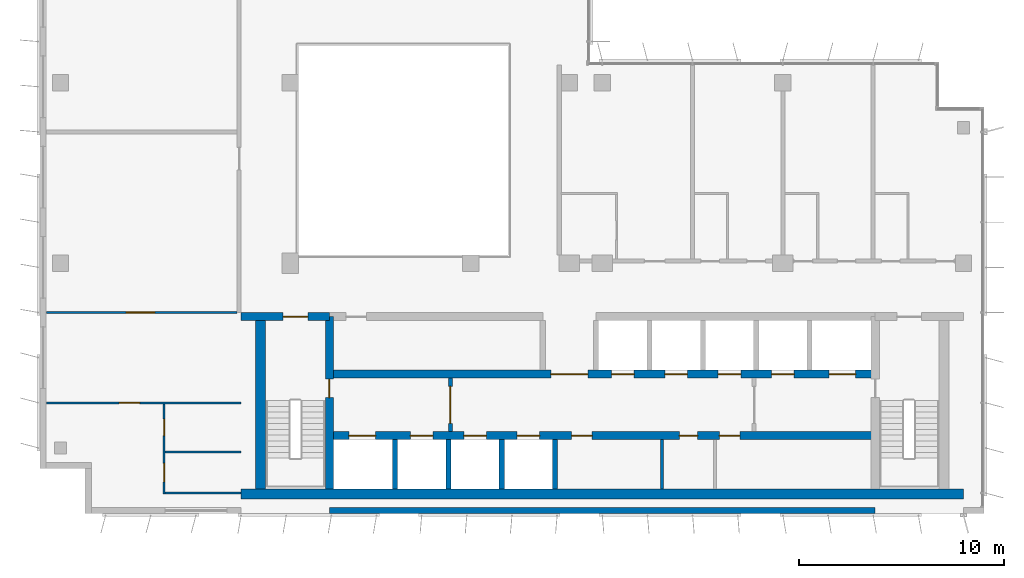
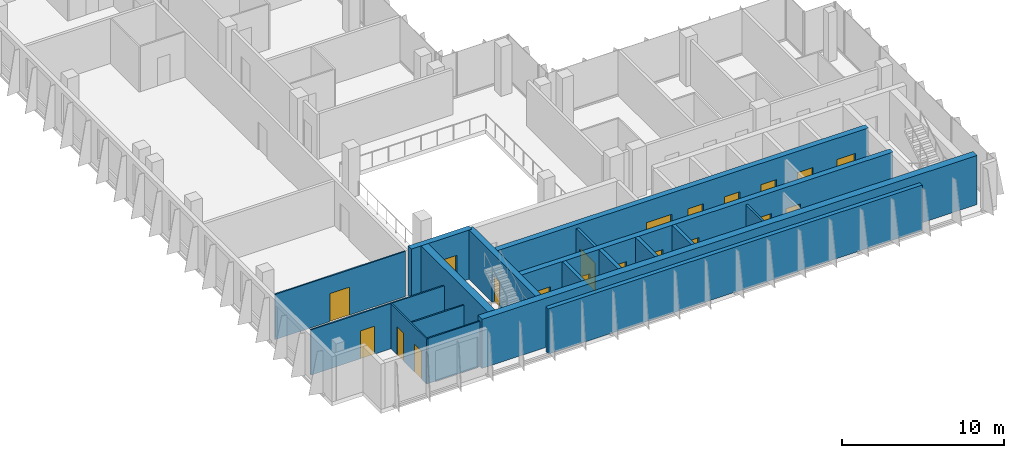
# One storey, part 9 of 15: 20 doors, 18 walls, 20 openings.
"""IFC4 building model written with IfcOpenShell, lengths in metres."""

from ifc_helpers import new_model, si_unit, direction, frame, frame_2d, origin, place, context, subcontext, project, spatial, rectangle, extrude, material, layer, layer_set, type_object, element, fill, save


model = new_model("IFC4")

# Units and contexts
model_context = context("Model", 3, precision=1e-05, world=origin(), true_north=direction((0.0, 1.0)))
body_context = subcontext(model_context, "Body", "Model", "MODEL_VIEW")
ifc_project = project(units=[si_unit("LENGTHUNIT", "METRE"), si_unit("AREAUNIT", "SQUARE_METRE"), si_unit("VOLUMEUNIT", "CUBIC_METRE"), si_unit("PLANEANGLEUNIT", "RADIAN"), si_unit("MASSUNIT", "GRAM", prefix="KILO")], contexts=[model_context])

# Site, building, storey
site_placement = place(None, origin())
site = spatial("IfcSite", under=ifc_project, at=site_placement, CompositionType="ELEMENT")
building_placement = place(site_placement, origin())
building = spatial("IfcBuilding", under=site, at=building_placement, Name="Kemantara Hotel Tower", CompositionType="ELEMENT")
storey_placement = place(building_placement, frame((0.0, 0.0, 298.10009765625)))
storey = spatial("IfcBuildingStorey", under=building, at=storey_placement, Name="L75", CompositionType="ELEMENT", Elevation=298.10009765625)

# Walls
ifc_material_1 = material(Name="Bronze anodised aluminium cladding on insulated steel stud wall", Category="steel")
ifc_layer_1 = layer(ifc_material_1, 0.300048828125)
ifc_layer_set_1 = layer_set([ifc_layer_1], Name="Bronze anodised aluminium cladding on insulated steel stud wall")
wall_type_1 = type_object("IfcWallType", Name="BRONZE METAL-CLAD EXTERNAL WALL 300", PredefinedType="STANDARD", material=ifc_layer_set_1)
wall_1_placement = place(storey_placement, frame((14.10009765625, 0.14990234375, 0.0), z_axis=(0.0, 0.0, 1.0), x_axis=(1.0, 0.0, 0.0)))
element("IfcWall", 1, at=wall_1_placement, inside=storey, type_object=wall_type_1, Name="EXTERNAL WALL L75 T4-R08-2", PredefinedType="STANDARD", context=body_context, shape_type="SweptSolid", body=[
    extrude(rectangle(XDim=26.599853515625, YDim=0.300048828125, at=frame_2d((13.2998046875, 0.0))), origin(), (0.0, 0.0, 1.0), 3.39990234375),
])
ifc_material_2 = material(Name="Concrete fc 50 MPa", Category="concrete")
ifc_layer_2 = layer(ifc_material_2, 0.25)
ifc_layer_set_2 = layer_set([ifc_layer_2], Name="Concrete fc 50 MPa")
wall_type_2 = type_object("IfcWallType", Name="CORE WALL 250 FC50", PredefinedType="SHEAR", material=ifc_layer_set_2)
for number, where, z_axis, x_axis, name in (
    (2, (17.300048828125, 1.199951171875, 0.0), (0.0, 0.0, 1.0), (0.0, 1.0, 0.0), "CORE WALL CW-DS17.3"),
    (3, (19.89990234375, 1.199951171875, 0.0), (0.0, 0.0, 1.0), (0.0, 1.0, 0.0), "CORE WALL CW-DS19.9"),
    (4, (22.5, 1.199951171875, 0.0), (0.0, 0.0, 1.0), (0.0, 1.0, 0.0), "CORE WALL CW-DS22.5"),
    (5, (25.10009765625, 1.199951171875, 0.0), (0.0, 0.0, 1.0), (0.0, 1.0, 0.0), "CORE WALL CW-DS25.1"),
):
    element("IfcWall", number, at=place(storey_placement, frame(where, z_axis=z_axis, x_axis=x_axis)), inside=storey, type_object=wall_type_2, Name=name, PredefinedType="SHEAR", context=body_context, shape_type="SweptSolid", body=[
        extrude(rectangle(XDim=2.400146484375, YDim=0.25, at=frame_2d((1.2001953125, 0.0))), origin(), (0.0, 0.0, 1.0), 3.699951171875),
    ])

# Wall, opening, door
ifc_layer_3 = layer(ifc_material_2, 0.39990234375)
ifc_layer_set_3 = layer_set([ifc_layer_3], Name="Concrete fc 50 MPa")
wall_type_3 = type_object("IfcWallType", Name="CORE WALL 400 FC50", PredefinedType="SHEAR", material=ifc_layer_set_3)
wall_2_placement = place(storey_placement, frame((9.800048828125, 9.60009765625, 0.0), z_axis=(0.0, 0.0, 1.0), x_axis=(1.0, 0.0, 0.0)))
wall_2 = element("IfcWall", 6, at=wall_2_placement, inside=storey, type_object=wall_type_3, Name="CORE WALL CW-N1", PredefinedType="SHEAR", context=body_context, shape_type="SweptSolid", body=[
    extrude(rectangle(XDim=4.300048828125, YDim=0.39990234375, at=frame_2d((2.14990234375, 0.0))), origin(), (0.0, 0.0, 1.0), 3.699951171875),
])
opening_1_placement = place(wall_2_placement, frame((2.050048828125, 0.0, 0.0)))
opening_1 = element("IfcOpeningElement", 7, at=opening_1_placement, cuts=wall_2, Name="Opening C42-ST1-C", PredefinedType="OPENING", context=body_context, shape_type="SweptSolid", body=[
    extrude(rectangle(XDim=1.199951171875, YDim=2.10009765625, at=frame_2d((0.60009765625, 1.050048828125))), frame((0.0, 0.2099609375, 0.0), z_axis=(0.0, -1.0, 0.0), x_axis=(1.0, 0.0, 0.0)), (0.0, 0.0, 1.0), 0.419921875),
])
ifc_material_3 = material(Name="Steel fire door", Category="steel")
door_type_1 = type_object("IfcDoorType", Name="Fire door FD90 1200 x 2100", OperationType="NOTDEFINED", PredefinedType="DOOR", material=ifc_material_3)
door_1_placement = place(opening_1_placement, frame((1.199951171875, 0.0, 0.0), z_axis=(0.0, 0.0, 1.0), x_axis=(-1.0, 0.0, 0.0)))
door_1 = element("IfcDoor", 8, at=door_1_placement, inside=storey, type_object=door_type_1, Name="Stair ST1 door to corridor", OperationType="SINGLE_SWING_LEFT", OverallHeight=2.10009765625, OverallWidth=1.199951171875, PredefinedType="DOOR", context=body_context, shape_type="SweptSolid", body=[
    extrude(rectangle(XDim=1.199951171875, YDim=2.10009765625, at=frame_2d((0.60009765625, 1.050048828125))), frame((0.0, 0.02490234375, 0.0), z_axis=(0.0, -1.0, 0.0), x_axis=(1.0, 0.0, 0.0)), (0.0, 0.0, 1.0), 0.050048828125),
])
fill(opening_1, door_1)

# Wall, openings, doors
wall_3_placement = place(storey_placement, frame((14.10009765625, 3.800048828125, 0.0), z_axis=(0.0, 0.0, 1.0), x_axis=(1.0, 0.0, 0.0)))
wall_3 = element("IfcWall", 9, at=wall_3_placement, inside=storey, type_object=wall_type_3, Name="CORE WALL CW-L1", PredefinedType="SHEAR", context=body_context, shape_type="SweptSolid", body=[
    extrude(rectangle(XDim=26.599853515625, YDim=0.39990234375, at=frame_2d((13.2998046875, 0.0))), origin(), (0.0, 0.0, 1.0), 3.699951171875),
])
opening_2_placement = place(wall_3_placement, frame((0.949951171875, 0.0, 0.0)))
opening_2 = element("IfcOpeningElement", 10, at=opening_2_placement, cuts=wall_3, Name="Opening C42-LD-FF1", PredefinedType="OPENING", context=body_context, shape_type="SweptSolid", body=[
    extrude(rectangle(XDim=1.300048828125, YDim=2.10009765625, at=frame_2d((0.64990234375, 1.050048828125))), frame((0.0, 0.2099609375, 0.0), z_axis=(0.0, -1.0, 0.0), x_axis=(1.0, 0.0, 0.0)), (0.0, 0.0, 1.0), 0.419921875),
])
opening_3_placement = place(wall_3_placement, frame((3.949951171875, 0.0, 0.0)))
opening_3 = element("IfcOpeningElement", 11, at=opening_3_placement, cuts=wall_3, Name="Opening C42-LD-SV1", PredefinedType="OPENING", context=body_context, shape_type="SweptSolid", body=[
    extrude(rectangle(XDim=1.10009765625, YDim=2.10009765625, at=frame_2d((0.550048828125, 1.050048828125))), frame((0.0, 0.2099609375, 0.0), z_axis=(0.0, -1.0, 0.0), x_axis=(1.0, 0.0, 0.0)), (0.0, 0.0, 1.0), 0.419921875),
])
opening_4_placement = place(wall_3_placement, frame((6.550048828125, 0.0, 0.0)))
opening_4 = element("IfcOpeningElement", 12, at=opening_4_placement, cuts=wall_3, Name="Opening C42-LD-SV2", PredefinedType="OPENING", context=body_context, shape_type="SweptSolid", body=[
    extrude(rectangle(XDim=1.10009765625, YDim=2.10009765625, at=frame_2d((0.550048828125, 1.050048828125))), frame((0.0, 0.2099609375, 0.0), z_axis=(0.0, -1.0, 0.0), x_axis=(1.0, 0.0, 0.0)), (0.0, 0.0, 1.0), 0.419921875),
])
opening_5_placement = place(wall_3_placement, frame((9.14990234375, 0.0, 0.0)))
opening_5 = element("IfcOpeningElement", 13, at=opening_5_placement, cuts=wall_3, Name="Opening C42-LD-SV3", PredefinedType="OPENING", context=body_context, shape_type="SweptSolid", body=[
    extrude(rectangle(XDim=1.10009765625, YDim=2.10009765625, at=frame_2d((0.550048828125, 1.050048828125))), frame((0.0, 0.2099609375, 0.0), z_axis=(0.0, -1.0, 0.0), x_axis=(1.0, 0.0, 0.0)), (0.0, 0.0, 1.0), 0.419921875),
])
opening_6_placement = place(wall_3_placement, frame((11.800048828125, 0.0, 0.0)))
opening_6 = element("IfcOpeningElement", 14, at=opening_6_placement, cuts=wall_3, Name="Opening C42-R-SM1", PredefinedType="OPENING", context=body_context, shape_type="SweptSolid", body=[
    extrude(rectangle(XDim=1.0, YDim=2.10009765625, at=frame_2d((0.5, 1.050048828125))), frame((0.0, 0.2099609375, 0.0), z_axis=(0.0, -1.0, 0.0), x_axis=(1.0, 0.0, 0.0)), (0.0, 0.0, 1.0), 0.419921875),
])
opening_7_placement = place(wall_3_placement, frame((17.050048828125, 0.0, 0.0)))
opening_7 = element("IfcOpeningElement", 15, at=opening_7_placement, cuts=wall_3, Name="Opening C42-R-SM2", PredefinedType="OPENING", context=body_context, shape_type="SweptSolid", body=[
    extrude(rectangle(XDim=0.89990234375, YDim=2.10009765625, at=frame_2d((0.449951171875, 1.050048828125))), frame((0.0, 0.2099609375, 0.0), z_axis=(0.0, -1.0, 0.0), x_axis=(1.0, 0.0, 0.0)), (0.0, 0.0, 1.0), 0.419921875),
])
opening_8_placement = place(wall_3_placement, frame((19.0, 0.0, 0.0)))
opening_8 = element("IfcOpeningElement", 16, at=opening_8_placement, cuts=wall_3, Name="Opening C42-R-SM3", PredefinedType="OPENING", context=body_context, shape_type="SweptSolid", body=[
    extrude(rectangle(XDim=1.0, YDim=2.10009765625, at=frame_2d((0.5, 1.050048828125))), frame((0.0, 0.2099609375, 0.0), z_axis=(0.0, -1.0, 0.0), x_axis=(1.0, 0.0, 0.0)), (0.0, 0.0, 1.0), 0.419921875),
])
door_type_2 = type_object("IfcDoorType", Name="Fire door FD30S 1000 x 2100", OperationType="NOTDEFINED", PredefinedType="DOOR", material=ifc_material_3)
door_2_placement = place(opening_8_placement, frame((1.0, 0.0, 0.0), z_axis=(0.0, 0.0, 1.0), x_axis=(-1.0, 0.0, 0.0)))
door_2 = element("IfcDoor", 17, at=door_2_placement, inside=storey, type_object=door_type_2, Name="Housekeeping Store door", OperationType="SINGLE_SWING_LEFT", OverallHeight=2.10009765625, OverallWidth=1.0, PredefinedType="DOOR", context=body_context, shape_type="SweptSolid", body=[
    extrude(rectangle(XDim=1.0, YDim=2.10009765625, at=frame_2d((0.5, 1.050048828125))), frame((0.0, 0.02490234375, 0.0), z_axis=(0.0, -1.0, 0.0), x_axis=(1.0, 0.0, 0.0)), (0.0, 0.0, 1.0), 0.050048828125),
])
fill(opening_8, door_2)
door_type_3 = type_object("IfcDoorType", Name="Fire door FD60 1000 x 2100", OperationType="NOTDEFINED", PredefinedType="DOOR", material=ifc_material_3)
door_3_placement = place(opening_6_placement, frame((1.0, 0.0, 0.0), z_axis=(0.0, 0.0, 1.0), x_axis=(-1.0, 0.0, 0.0)))
door_3 = element("IfcDoor", 18, at=door_3_placement, inside=storey, type_object=door_type_3, Name="It Equipment Room door", OperationType="SINGLE_SWING_RIGHT", OverallHeight=2.10009765625, OverallWidth=1.0, PredefinedType="DOOR", context=body_context, shape_type="SweptSolid", body=[
    extrude(rectangle(XDim=1.0, YDim=2.10009765625, at=frame_2d((0.5, 1.050048828125))), frame((0.0, 0.02490234375, 0.0), z_axis=(0.0, -1.0, 0.0), x_axis=(1.0, 0.0, 0.0)), (0.0, 0.0, 1.0), 0.050048828125),
])
fill(opening_6, door_3)
door_type_4 = type_object("IfcDoorType", Name="Fire door FD60 900 x 2100", OperationType="NOTDEFINED", PredefinedType="DOOR", material=ifc_material_3)
door_4_placement = place(opening_7_placement, frame((0.89990234375, 0.0, 0.0), z_axis=(0.0, 0.0, 1.0), x_axis=(-1.0, 0.0, 0.0)))
door_4 = element("IfcDoor", 19, at=door_4_placement, inside=storey, type_object=door_type_4, Name="Comms Equipment Room door", OperationType="SINGLE_SWING_LEFT", OverallHeight=2.10009765625, OverallWidth=0.89990234375, PredefinedType="DOOR", context=body_context, shape_type="SweptSolid", body=[
    extrude(rectangle(XDim=0.89990234375, YDim=2.10009765625, at=frame_2d((0.449951171875, 1.050048828125))), frame((0.0, 0.02490234375, 0.0), z_axis=(0.0, -1.0, 0.0), x_axis=(1.0, 0.0, 0.0)), (0.0, 0.0, 1.0), 0.050048828125),
])
fill(opening_7, door_4)
ifc_material_4 = material(Name="Stainless steel lift door", Category="steel")
door_type_5 = type_object("IfcDoorType", Name="Lift landing door 1100 x 2100 FD60", OperationType="DOUBLE_DOOR_SLIDING", PredefinedType="DOOR", material=ifc_material_4)
door_5_placement = place(opening_3_placement, origin())
door_5 = element("IfcDoor", 20, at=door_5_placement, inside=storey, type_object=door_type_5, Name="Lift SV1 landing door", OperationType="DOUBLE_DOOR_SLIDING", OverallHeight=2.10009765625, OverallWidth=1.10009765625, PredefinedType="DOOR", context=body_context, shape_type="SweptSolid", body=[
    extrude(rectangle(XDim=1.10009765625, YDim=2.10009765625, at=frame_2d((0.550048828125, 1.050048828125))), frame((0.0, 0.02490234375, 0.0), z_axis=(0.0, -1.0, 0.0), x_axis=(1.0, 0.0, 0.0)), (0.0, 0.0, 1.0), 0.050048828125),
])
fill(opening_3, door_5)
door_6_placement = place(opening_4_placement, origin())
door_6 = element("IfcDoor", 21, at=door_6_placement, inside=storey, type_object=door_type_5, Name="Lift SV2 landing door", OperationType="DOUBLE_DOOR_SLIDING", OverallHeight=2.10009765625, OverallWidth=1.10009765625, PredefinedType="DOOR", context=body_context, shape_type="SweptSolid", body=[
    extrude(rectangle(XDim=1.10009765625, YDim=2.10009765625, at=frame_2d((0.550048828125, 1.050048828125))), frame((0.0, 0.02490234375, 0.0), z_axis=(0.0, -1.0, 0.0), x_axis=(1.0, 0.0, 0.0)), (0.0, 0.0, 1.0), 0.050048828125),
])
fill(opening_4, door_6)
door_7_placement = place(opening_5_placement, origin())
door_7 = element("IfcDoor", 22, at=door_7_placement, inside=storey, type_object=door_type_5, Name="Lift SV3 landing door", OperationType="DOUBLE_DOOR_SLIDING", OverallHeight=2.10009765625, OverallWidth=1.10009765625, PredefinedType="DOOR", context=body_context, shape_type="SweptSolid", body=[
    extrude(rectangle(XDim=1.10009765625, YDim=2.10009765625, at=frame_2d((0.550048828125, 1.050048828125))), frame((0.0, 0.02490234375, 0.0), z_axis=(0.0, -1.0, 0.0), x_axis=(1.0, 0.0, 0.0)), (0.0, 0.0, 1.0), 0.050048828125),
])
fill(opening_5, door_7)
door_type_6 = type_object("IfcDoorType", Name="Lift landing door 1300 x 2100 FD90", OperationType="DOUBLE_DOOR_SLIDING", PredefinedType="DOOR", material=ifc_material_4)
door_8_placement = place(opening_2_placement, origin())
door_8 = element("IfcDoor", 23, at=door_8_placement, inside=storey, type_object=door_type_6, Name="Lift FF1 landing door", OperationType="DOUBLE_DOOR_SLIDING", OverallHeight=2.10009765625, OverallWidth=1.300048828125, PredefinedType="DOOR", context=body_context, shape_type="SweptSolid", body=[
    extrude(rectangle(XDim=1.300048828125, YDim=2.10009765625, at=frame_2d((0.64990234375, 1.050048828125))), frame((0.0, 0.02490234375, 0.0), z_axis=(0.0, -1.0, 0.0), x_axis=(1.0, 0.0, 0.0)), (0.0, 0.0, 1.0), 0.050048828125),
])
fill(opening_2, door_8)

wall_4_placement = place(storey_placement, frame((14.10009765625, 6.800048828125, 0.0), z_axis=(0.0, 0.0, 1.0), x_axis=(1.0, 0.0, 0.0)))
wall_4 = element("IfcWall", 24, at=wall_4_placement, inside=storey, type_object=wall_type_3, Name="CORE WALL CW-L2", PredefinedType="SHEAR", context=body_context, shape_type="SweptSolid", body=[
    extrude(rectangle(XDim=26.599853515625, YDim=0.39990234375, at=frame_2d((13.2998046875, 0.0))), origin(), (0.0, 0.0, 1.0), 3.699951171875),
])
opening_9_placement = place(wall_4_placement, frame((10.800048828125, 0.0, 0.0)))
opening_9 = element("IfcOpeningElement", 25, at=opening_9_placement, cuts=wall_4, Name="Opening C42-VL", PredefinedType="OPENING", context=body_context, shape_type="SweptSolid", body=[
    extrude(rectangle(XDim=1.800048828125, YDim=2.10009765625, at=frame_2d((0.89990234375, 1.050048828125))), frame((0.0, 0.2099609375, 0.0), z_axis=(0.0, -1.0, 0.0), x_axis=(1.0, 0.0, 0.0)), (0.0, 0.0, 1.0), 0.419921875),
])
opening_10_placement = place(wall_4_placement, frame((13.75, 0.0, 0.0)))
opening_10 = element("IfcOpeningElement", 26, at=opening_10_placement, cuts=wall_4, Name="Opening C42-LD-HR1", PredefinedType="OPENING", context=body_context, shape_type="SweptSolid", body=[
    extrude(rectangle(XDim=1.10009765625, YDim=2.10009765625, at=frame_2d((0.550048828125, 1.050048828125))), frame((0.0, 0.2099609375, 0.0), z_axis=(0.0, -1.0, 0.0), x_axis=(1.0, 0.0, 0.0)), (0.0, 0.0, 1.0), 0.419921875),
])
opening_11_placement = place(wall_4_placement, frame((16.35009765625, 0.0, 0.0)))
opening_11 = element("IfcOpeningElement", 27, at=opening_11_placement, cuts=wall_4, Name="Opening C42-LD-HR2", PredefinedType="OPENING", context=body_context, shape_type="SweptSolid", body=[
    extrude(rectangle(XDim=1.10009765625, YDim=2.10009765625, at=frame_2d((0.550048828125, 1.050048828125))), frame((0.0, 0.2099609375, 0.0), z_axis=(0.0, -1.0, 0.0), x_axis=(1.0, 0.0, 0.0)), (0.0, 0.0, 1.0), 0.419921875),
])
opening_12_placement = place(wall_4_placement, frame((18.949951171875, 0.0, 0.0)))
opening_12 = element("IfcOpeningElement", 28, at=opening_12_placement, cuts=wall_4, Name="Opening C42-LD-HR3", PredefinedType="OPENING", context=body_context, shape_type="SweptSolid", body=[
    extrude(rectangle(XDim=1.10009765625, YDim=2.10009765625, at=frame_2d((0.550048828125, 1.050048828125))), frame((0.0, 0.2099609375, 0.0), z_axis=(0.0, -1.0, 0.0), x_axis=(1.0, 0.0, 0.0)), (0.0, 0.0, 1.0), 0.419921875),
])
opening_13_placement = place(wall_4_placement, frame((21.550048828125, 0.0, 0.0)))
opening_13 = element("IfcOpeningElement", 29, at=opening_13_placement, cuts=wall_4, Name="Opening C42-LD-HR4", PredefinedType="OPENING", context=body_context, shape_type="SweptSolid", body=[
    extrude(rectangle(XDim=1.10009765625, YDim=2.10009765625, at=frame_2d((0.550048828125, 1.050048828125))), frame((0.0, 0.2099609375, 0.0), z_axis=(0.0, -1.0, 0.0), x_axis=(1.0, 0.0, 0.0)), (0.0, 0.0, 1.0), 0.419921875),
])
opening_14_placement = place(wall_4_placement, frame((24.35009765625, 0.0, 0.0)))
opening_14 = element("IfcOpeningElement", 30, at=opening_14_placement, cuts=wall_4, Name="Opening C42-LD-FF2", PredefinedType="OPENING", context=body_context, shape_type="SweptSolid", body=[
    extrude(rectangle(XDim=1.300048828125, YDim=2.10009765625, at=frame_2d((0.64990234375, 1.050048828125))), frame((0.0, 0.2099609375, 0.0), z_axis=(0.0, -1.0, 0.0), x_axis=(1.0, 0.0, 0.0)), (0.0, 0.0, 1.0), 0.419921875),
])
door_type_7 = type_object("IfcDoorType", Name="Fire door pair FD60 1800 x 2100", OperationType="DOUBLE_DOOR_SINGLE_SWING", PredefinedType="DOOR", material=ifc_material_3)
door_9_placement = place(opening_9_placement, frame((1.800048828125, 0.0, 0.0), z_axis=(0.0, 0.0, 1.0), x_axis=(-1.0, 0.0, 0.0)))
door_9 = element("IfcDoor", 31, at=door_9_placement, inside=storey, type_object=door_type_7, Name="Lift lobby entry door", OperationType="DOUBLE_DOOR_SINGLE_SWING", OverallHeight=2.10009765625, OverallWidth=1.800048828125, PredefinedType="DOOR", context=body_context, shape_type="SweptSolid", body=[
    extrude(rectangle(XDim=1.800048828125, YDim=2.10009765625, at=frame_2d((0.89990234375, 1.050048828125))), frame((0.0, 0.02490234375, 0.0), z_axis=(0.0, -1.0, 0.0), x_axis=(1.0, 0.0, 0.0)), (0.0, 0.0, 1.0), 0.050048828125),
])
fill(opening_9, door_9)
door_10_placement = place(opening_10_placement, origin())
door_10 = element("IfcDoor", 32, at=door_10_placement, inside=storey, type_object=door_type_5, Name="Lift HR1 landing door", OperationType="DOUBLE_DOOR_SLIDING", OverallHeight=2.10009765625, OverallWidth=1.10009765625, PredefinedType="DOOR", context=body_context, shape_type="SweptSolid", body=[
    extrude(rectangle(XDim=1.10009765625, YDim=2.10009765625, at=frame_2d((0.550048828125, 1.050048828125))), frame((0.0, 0.02490234375, 0.0), z_axis=(0.0, -1.0, 0.0), x_axis=(1.0, 0.0, 0.0)), (0.0, 0.0, 1.0), 0.050048828125),
])
fill(opening_10, door_10)
door_11_placement = place(opening_11_placement, origin())
door_11 = element("IfcDoor", 33, at=door_11_placement, inside=storey, type_object=door_type_5, Name="Lift HR2 landing door", OperationType="DOUBLE_DOOR_SLIDING", OverallHeight=2.10009765625, OverallWidth=1.10009765625, PredefinedType="DOOR", context=body_context, shape_type="SweptSolid", body=[
    extrude(rectangle(XDim=1.10009765625, YDim=2.10009765625, at=frame_2d((0.550048828125, 1.050048828125))), frame((0.0, 0.02490234375, 0.0), z_axis=(0.0, -1.0, 0.0), x_axis=(1.0, 0.0, 0.0)), (0.0, 0.0, 1.0), 0.050048828125),
])
fill(opening_11, door_11)
door_12_placement = place(opening_12_placement, origin())
door_12 = element("IfcDoor", 34, at=door_12_placement, inside=storey, type_object=door_type_5, Name="Lift HR3 landing door", OperationType="DOUBLE_DOOR_SLIDING", OverallHeight=2.10009765625, OverallWidth=1.10009765625, PredefinedType="DOOR", context=body_context, shape_type="SweptSolid", body=[
    extrude(rectangle(XDim=1.10009765625, YDim=2.10009765625, at=frame_2d((0.550048828125, 1.050048828125))), frame((0.0, 0.02490234375, 0.0), z_axis=(0.0, -1.0, 0.0), x_axis=(1.0, 0.0, 0.0)), (0.0, 0.0, 1.0), 0.050048828125),
])
fill(opening_12, door_12)
door_13_placement = place(opening_13_placement, origin())
door_13 = element("IfcDoor", 35, at=door_13_placement, inside=storey, type_object=door_type_5, Name="Lift HR4 landing door", OperationType="DOUBLE_DOOR_SLIDING", OverallHeight=2.10009765625, OverallWidth=1.10009765625, PredefinedType="DOOR", context=body_context, shape_type="SweptSolid", body=[
    extrude(rectangle(XDim=1.10009765625, YDim=2.10009765625, at=frame_2d((0.550048828125, 1.050048828125))), frame((0.0, 0.02490234375, 0.0), z_axis=(0.0, -1.0, 0.0), x_axis=(1.0, 0.0, 0.0)), (0.0, 0.0, 1.0), 0.050048828125),
])
fill(opening_13, door_13)
door_14_placement = place(opening_14_placement, origin())
door_14 = element("IfcDoor", 36, at=door_14_placement, inside=storey, type_object=door_type_6, Name="Lift FF2 landing door", OperationType="DOUBLE_DOOR_SLIDING", OverallHeight=2.10009765625, OverallWidth=1.300048828125, PredefinedType="DOOR", context=body_context, shape_type="SweptSolid", body=[
    extrude(rectangle(XDim=1.300048828125, YDim=2.10009765625, at=frame_2d((0.64990234375, 1.050048828125))), frame((0.0, 0.02490234375, 0.0), z_axis=(0.0, -1.0, 0.0), x_axis=(1.0, 0.0, 0.0)), (0.0, 0.0, 1.0), 0.050048828125),
])
fill(opening_14, door_14)

# Wall, opening, door
wall_5_placement = place(storey_placement, frame((14.10009765625, 1.199951171875, 0.0), z_axis=(0.0, 0.0, 1.0), x_axis=(0.0, 1.0, 0.0)))
wall_5 = element("IfcWall", 37, at=wall_5_placement, inside=storey, type_object=wall_type_3, Name="CORE WALL CW-ST1E", PredefinedType="SHEAR", context=body_context, shape_type="SweptSolid", body=[
    extrude(rectangle(XDim=8.400146484375, YDim=0.39990234375, at=frame_2d((4.2001953125, 0.0))), origin(), (0.0, 0.0, 1.0), 3.699951171875),
])
opening_15_placement = place(wall_5_placement, frame((4.449951171875, 0.0, 0.0)))
opening_15 = element("IfcOpeningElement", 38, at=opening_15_placement, cuts=wall_5, Name="Opening C42-ST1-F", PredefinedType="OPENING", context=body_context, shape_type="SweptSolid", body=[
    extrude(rectangle(XDim=0.89990234375, YDim=2.10009765625, at=frame_2d((0.449951171875, 1.050048828125))), frame((0.0, 0.2099609375, 0.0), z_axis=(0.0, -1.0, 0.0), x_axis=(1.0, 0.0, 0.0)), (0.0, 0.0, 1.0), 0.419921875),
])
door_type_8 = type_object("IfcDoorType", Name="Fire door FD90 900 x 2100", OperationType="NOTDEFINED", PredefinedType="DOOR", material=ifc_material_3)
door_15_placement = place(opening_15_placement, origin())
door_15 = element("IfcDoor", 39, at=door_15_placement, inside=storey, type_object=door_type_8, Name="Stair ST1 door to firefighting lobby", OperationType="SINGLE_SWING_RIGHT", OverallHeight=2.10009765625, OverallWidth=0.89990234375, PredefinedType="DOOR", context=body_context, shape_type="SweptSolid", body=[
    extrude(rectangle(XDim=0.89990234375, YDim=2.10009765625, at=frame_2d((0.449951171875, 1.050048828125))), frame((0.0, 0.02490234375, 0.0), z_axis=(0.0, -1.0, 0.0), x_axis=(1.0, 0.0, 0.0)), (0.0, 0.0, 1.0), 0.050048828125),
])
fill(opening_15, door_15)

# Walls
ifc_layer_4 = layer(ifc_material_2, 0.5)
ifc_layer_set_4 = layer_set([ifc_layer_4], Name="Concrete fc 50 MPa")
wall_type_4 = type_object("IfcWallType", Name="CORE WALL 500 FC50", PredefinedType="SHEAR", material=ifc_layer_set_4)
wall_6_placement = place(storey_placement, frame((9.800048828125, 0.949951171875, 0.0), z_axis=(0.0, 0.0, 1.0), x_axis=(1.0, 0.0, 0.0)))
element("IfcWall", 40, at=wall_6_placement, inside=storey, type_object=wall_type_4, Name="CORE WALL CW-S", PredefinedType="SHEAR", context=body_context, shape_type="SweptSolid", body=[
    extrude(rectangle(XDim=35.199951171875, YDim=0.5, at=frame_2d((17.60009765625, 0.0))), origin(), (0.0, 0.0, 1.0), 3.699951171875),
])
wall_7_placement = place(storey_placement, frame((10.75, 1.199951171875, 0.0), z_axis=(0.0, 0.0, 1.0), x_axis=(0.0, 1.0, 0.0)))
element("IfcWall", 41, at=wall_7_placement, inside=storey, type_object=wall_type_4, Name="CORE WALL CW-W", PredefinedType="SHEAR", context=body_context, shape_type="SweptSolid", body=[
    extrude(rectangle(XDim=8.60009765625, YDim=0.5, at=frame_2d((4.300048828125, 0.0))), origin(), (0.0, 0.0, 1.0), 3.699951171875),
])
ifc_material_5 = material(Name="Gypsum board partition")
ifc_layer_5 = layer(ifc_material_5, 0.14990234375)
ifc_layer_set_5 = layer_set([ifc_layer_5], Name="Gypsum board partition")
wall_type_5 = type_object("IfcWallType", Name="Gypsum board partition 150 mm", PredefinedType="PARTITIONING", material=ifc_layer_set_5)
wall_8_placement = place(storey_placement, frame((30.300048828125, 1.199951171875, 0.0), z_axis=(0.0, 0.0, 1.0), x_axis=(0.0, 1.0, 0.0)))
element("IfcWall", 42, at=wall_8_placement, inside=storey, type_object=wall_type_5, Name="Core room partition", PredefinedType="PARTITIONING", context=body_context, shape_type="SweptSolid", body=[
    extrude(rectangle(XDim=2.400146484375, YDim=0.14990234375, at=frame_2d((1.2001953125, 0.0))), origin(), (0.0, 0.0, 1.0), 3.39990234375),
])

# Wall, opening, door
ifc_material_6 = material(Name="Gypsum board shaft wall")
ifc_layer_6 = layer(ifc_material_6, 0.199951171875)
ifc_layer_set_6 = layer_set([ifc_layer_6], Name="Gypsum board shaft wall")
wall_type_6 = type_object("IfcWallType", Name="Gypsum board shaft wall 200 mm", PredefinedType="PARTITIONING", material=ifc_layer_set_6)
wall_9_placement = place(storey_placement, frame((20.0, 4.0, 0.0), z_axis=(0.0, 0.0, 1.0), x_axis=(0.0, 1.0, 0.0)))
wall_9 = element("IfcWall", 43, at=wall_9_placement, inside=storey, type_object=wall_type_6, Name="Firefighting lobby partition west", PredefinedType="PARTITIONING", context=body_context, shape_type="SweptSolid", body=[
    extrude(rectangle(XDim=2.60009765625, YDim=0.199951171875, at=frame_2d((1.300048828125, 0.0))), origin(), (0.0, 0.0, 1.0), 3.39990234375),
])
opening_16_placement = place(wall_9_placement, frame((0.39990234375, 0.0, 0.0)))
opening_16 = element("IfcOpeningElement", 44, at=opening_16_placement, cuts=wall_9, Name="Opening C42-FFW", PredefinedType="OPENING", context=body_context, shape_type="SweptSolid", body=[
    extrude(rectangle(XDim=1.800048828125, YDim=2.10009765625, at=frame_2d((0.89990234375, 1.050048828125))), frame((0.0, 0.10986328125, 0.0), z_axis=(0.0, -1.0, 0.0), x_axis=(1.0, 0.0, 0.0)), (0.0, 0.0, 1.0), 0.219970703125),
])
door_16_placement = place(opening_16_placement, origin())
door_16 = element("IfcDoor", 45, at=door_16_placement, inside=storey, type_object=door_type_7, Name="Firefighting lobby door west", OperationType="DOUBLE_DOOR_SINGLE_SWING", OverallHeight=2.10009765625, OverallWidth=1.800048828125, PredefinedType="DOOR", context=body_context, shape_type="SweptSolid", body=[
    extrude(rectangle(XDim=1.800048828125, YDim=2.10009765625, at=frame_2d((0.89990234375, 1.050048828125))), frame((0.0, 0.02490234375, 0.0), z_axis=(0.0, -1.0, 0.0), x_axis=(1.0, 0.0, 0.0)), (0.0, 0.0, 1.0), 0.050048828125),
])
fill(opening_16, door_16)

# Wall, openings, doors
ifc_material_7 = material(Name="Gypsum board partition on steel studs, 100 mm", Category="steel")
ifc_layer_7 = layer(ifc_material_7, 0.10009765625)
ifc_layer_set_7 = layer_set([ifc_layer_7], Name="Gypsum board partition on steel studs, 100 mm")
wall_type_7 = type_object("IfcWallType", Name="ROOM PARTITION 100", PredefinedType="PARTITIONING", material=ifc_layer_set_7)
wall_10_placement = place(storey_placement, frame((6.050048828125, 5.35009765625, 0.0), z_axis=(0.0, 0.0, 1.0), x_axis=(0.0, -1.0, 0.0)))
wall_10 = element("IfcWall", 46, at=wall_10_placement, inside=storey, type_object=wall_type_7, Name="ROOM PARTITION 100 031", PredefinedType="PARTITIONING", context=body_context, shape_type="SweptSolid", body=[
    extrude(rectangle(XDim=4.400146484375, YDim=0.10009765625, at=frame_2d((2.2001953125, 0.0))), origin(), (0.0, 0.0, 1.0), 3.39990234375),
])
opening_17_placement = place(wall_10_placement, frame((2.89990234375, 0.0, 0.0)))
opening_17 = element("IfcOpeningElement", 47, at=opening_17_placement, cuts=wall_10, Name="Opening F37-012", PredefinedType="OPENING", context=body_context, shape_type="SweptSolid", body=[
    extrude(rectangle(XDim=0.89990234375, YDim=2.10009765625, at=frame_2d((0.449951171875, 1.050048828125))), frame((0.0, 0.06005859375, 0.0), z_axis=(0.0, -1.0, 0.0), x_axis=(1.0, 0.0, 0.0)), (0.0, 0.0, 1.0), 0.1201171875),
])
opening_18_placement = place(wall_10_placement, frame((0.75, 0.0, 0.0)))
opening_18 = element("IfcOpeningElement", 48, at=opening_18_placement, cuts=wall_10, Name="Opening F37-013", PredefinedType="OPENING", context=body_context, shape_type="SweptSolid", body=[
    extrude(rectangle(XDim=0.800048828125, YDim=2.10009765625, at=frame_2d((0.39990234375, 1.050048828125))), frame((0.0, 0.06005859375, 0.0), z_axis=(0.0, -1.0, 0.0), x_axis=(1.0, 0.0, 0.0)), (0.0, 0.0, 1.0), 0.1201171875),
])
ifc_material_8 = material(Name="Hardwood veneer door leaf with steel frame", Category="steel")
door_type_9 = type_object("IfcDoorType", Name="BATHROOM DOOR 900 X 2100", OperationType="NOTDEFINED", PredefinedType="DOOR", material=ifc_material_8)
door_17_placement = place(opening_17_placement, origin())
door_17 = element("IfcDoor", 49, at=door_17_placement, inside=storey, type_object=door_type_9, Name="BATHROOM DOOR F37-012", OperationType="SINGLE_SWING_LEFT", OverallHeight=2.10009765625, OverallWidth=0.89990234375, PredefinedType="DOOR", context=body_context, shape_type="SweptSolid", body=[
    extrude(rectangle(XDim=0.89990234375, YDim=2.10009765625, at=frame_2d((0.449951171875, 1.050048828125))), frame((0.0, 0.02490234375, 0.0), z_axis=(0.0, -1.0, 0.0), x_axis=(1.0, 0.0, 0.0)), (0.0, 0.0, 1.0), 0.050048828125),
])
fill(opening_17, door_17)
door_type_10 = type_object("IfcDoorType", Name="WARDROBE DOOR 800 X 2100", OperationType="NOTDEFINED", PredefinedType="DOOR", material=ifc_material_8)
door_18_placement = place(opening_18_placement, origin())
door_18 = element("IfcDoor", 50, at=door_18_placement, inside=storey, type_object=door_type_10, Name="WARDROBE DOOR F37-013", OperationType="SINGLE_SWING_LEFT", OverallHeight=2.10009765625, OverallWidth=0.800048828125, PredefinedType="DOOR", context=body_context, shape_type="SweptSolid", body=[
    extrude(rectangle(XDim=0.800048828125, YDim=2.10009765625, at=frame_2d((0.39990234375, 1.050048828125))), frame((0.0, 0.02490234375, 0.0), z_axis=(0.0, -1.0, 0.0), x_axis=(1.0, 0.0, 0.0)), (0.0, 0.0, 1.0), 0.050048828125),
])
fill(opening_18, door_18)

# Wall, opening, door
wall_11_placement = place(storey_placement, frame((9.60009765625, 9.800048828125, 0.0), z_axis=(0.0, 0.0, 1.0), x_axis=(-1.0, 0.0, 0.0)))
wall_11 = element("IfcWall", 51, at=wall_11_placement, inside=storey, type_object=wall_type_7, Name="ROOM PARTITION 100 032", PredefinedType="PARTITIONING", context=body_context, shape_type="SweptSolid", body=[
    extrude(rectangle(XDim=9.2900390625, YDim=0.10009765625, at=frame_2d((4.64501953125, 0.0))), origin(), (0.0, 0.0, 1.0), 3.39990234375),
])
opening_19_placement = place(wall_11_placement, frame((4.0, 0.0, 0.0)))
opening_19 = element("IfcOpeningElement", 52, at=opening_19_placement, cuts=wall_11, Name="Opening F37-010", PredefinedType="OPENING", context=body_context, shape_type="SweptSolid", body=[
    extrude(rectangle(XDim=1.39990234375, YDim=2.10009765625, at=frame_2d((0.699951171875, 1.050048828125))), frame((0.0, 0.06005859375, 0.0), z_axis=(0.0, -1.0, 0.0), x_axis=(1.0, 0.0, 0.0)), (0.0, 0.0, 1.0), 0.1201171875),
])
door_type_11 = type_object("IfcDoorType", Name="INTERNAL DOOR 1400 X 2100", OperationType="NOTDEFINED", PredefinedType="DOOR", material=ifc_material_8)
door_19_placement = place(opening_19_placement, origin())
door_19 = element("IfcDoor", 53, at=door_19_placement, inside=storey, type_object=door_type_11, Name="INTERNAL DOOR F37-010", OperationType="DOUBLE_DOOR_SINGLE_SWING", OverallHeight=2.10009765625, OverallWidth=1.39990234375, PredefinedType="DOOR", context=body_context, shape_type="SweptSolid", body=[
    extrude(rectangle(XDim=1.39990234375, YDim=2.10009765625, at=frame_2d((0.699951171875, 1.050048828125))), frame((0.0, 0.02490234375, 0.0), z_axis=(0.0, -1.0, 0.0), x_axis=(1.0, 0.0, 0.0)), (0.0, 0.0, 1.0), 0.050048828125),
])
fill(opening_19, door_19)

wall_12_placement = place(storey_placement, frame((9.7998046875, 5.39990234375, 0.0), z_axis=(0.0, 0.0, 1.0), x_axis=(-1.0, 0.0, 0.0)))
wall_12 = element("IfcWall", 54, at=wall_12_placement, inside=storey, type_object=wall_type_7, Name="ROOM PARTITION 100 033", PredefinedType="PARTITIONING", context=body_context, shape_type="SweptSolid", body=[
    extrude(rectangle(XDim=9.48974609375, YDim=0.10009765625, at=frame_2d((4.744873046875, 0.0))), origin(), (0.0, 0.0, 1.0), 3.39990234375),
])
opening_20_placement = place(wall_12_placement, frame((4.949951171875, 0.0, 0.0)))
opening_20 = element("IfcOpeningElement", 55, at=opening_20_placement, cuts=wall_12, Name="Opening F37-011", PredefinedType="OPENING", context=body_context, shape_type="SweptSolid", body=[
    extrude(rectangle(XDim=1.0, YDim=2.10009765625, at=frame_2d((0.5, 1.050048828125))), frame((0.0, 0.06005859375, 0.0), z_axis=(0.0, -1.0, 0.0), x_axis=(1.0, 0.0, 0.0)), (0.0, 0.0, 1.0), 0.1201171875),
])
door_type_12 = type_object("IfcDoorType", Name="INTERNAL DOOR 1000 X 2100", OperationType="NOTDEFINED", PredefinedType="DOOR", material=ifc_material_8)
door_20_placement = place(opening_20_placement, origin())
door_20 = element("IfcDoor", 56, at=door_20_placement, inside=storey, type_object=door_type_12, Name="INTERNAL DOOR F37-011", OperationType="SINGLE_SWING_LEFT", OverallHeight=2.10009765625, OverallWidth=1.0, PredefinedType="DOOR", context=body_context, shape_type="SweptSolid", body=[
    extrude(rectangle(XDim=1.0, YDim=2.10009765625, at=frame_2d((0.5, 1.050048828125))), frame((0.0, 0.02490234375, 0.0), z_axis=(0.0, -1.0, 0.0), x_axis=(1.0, 0.0, 0.0)), (0.0, 0.0, 1.0), 0.050048828125),
])
fill(opening_20, door_20)

# Walls
for number, where, z_axis, x_axis, name in (
    (57, (6.10009765625, 1.0, 0.0), (0.0, 0.0, 1.0), (1.0, 0.0, 0.0), "ROOM PARTITION 100 034"),
    (58, (6.10009765625, 3.0, 0.0), (0.0, 0.0, 1.0), (1.0, 0.0, 0.0), "ROOM PARTITION 100 035"),
):
    element("IfcWall", number, at=place(storey_placement, frame(where, z_axis=z_axis, x_axis=x_axis)), inside=storey, type_object=wall_type_7, Name=name, PredefinedType="PARTITIONING", context=body_context, shape_type="SweptSolid", body=[
        extrude(rectangle(XDim=3.69970703125, YDim=0.10009765625, at=frame_2d((1.849853515625, 0.0))), origin(), (0.0, 0.0, 1.0), 3.39990234375),
    ])

save(model, "model.ifc")
